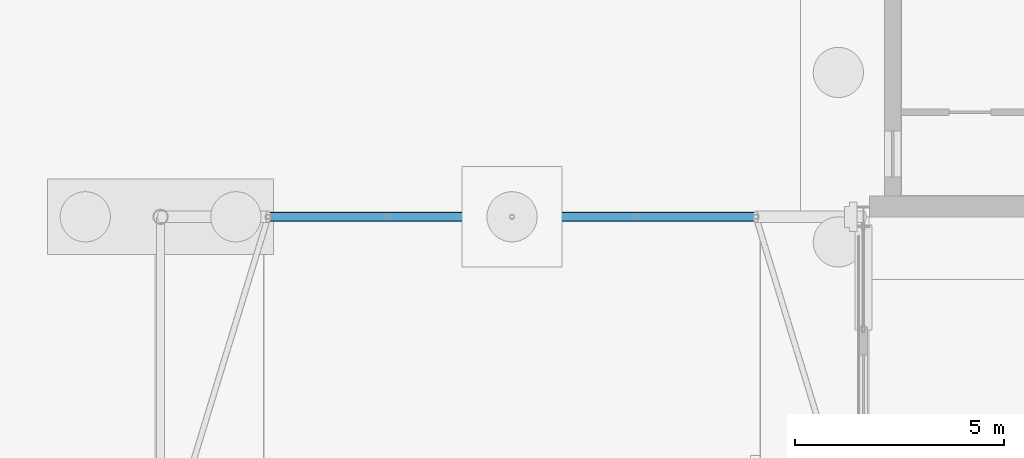
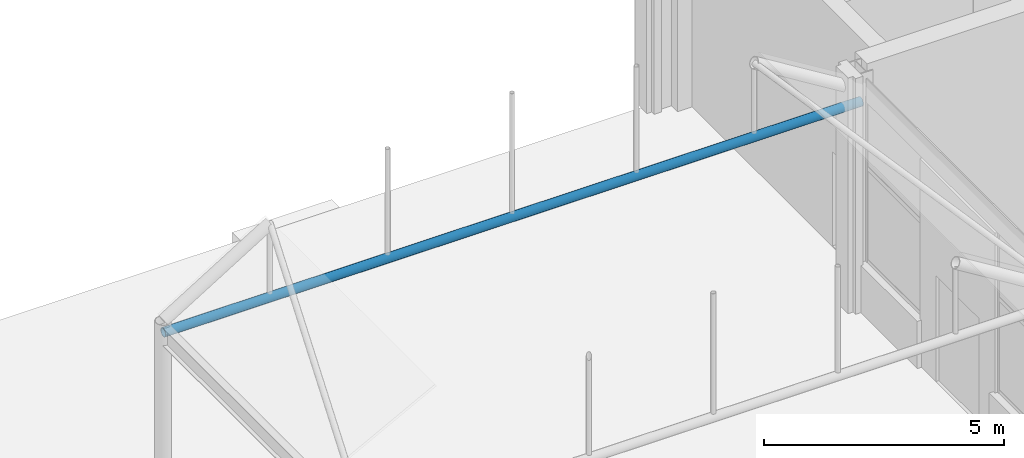
# One storey, part 161 of 212: 1 beam.
"""IFC4 building model written with IfcOpenShell, lengths in metres."""

import ifcopenshell
import ifcopenshell.guid

model = None  # the IFC model being written
_history = None  # IfcOwnerHistory: only IFC2X3 demands one
_inside = {}  # id of a spatial element -> (the spatial element, [elements in it])
_under = {}  # id of a project, library or spatial element -> (it, [spatial elements below it])
_declared = {}  # id of a project -> (the project, [libraries it declares])
_typed = {}  # id of a type object -> (the type object, [elements of that type])
_made_of = {}  # id of a material, layer set ... -> (it, [elements and type objects made of it])


def new_model(schema):
    """Start an empty IFC model of exactly this schema.

    Asked for "IFC4X3", IfcOpenShell would pick the latest addendum, in which some entities
    have other attributes; the version numbers below select the first issue.
    IFC2X3 requires an IfcOwnerHistory on every rooted entity: one is made here for all.
    """
    global model, _history
    if schema == "IFC4X3":
        model = ifcopenshell.file(schema_version=(4, 3, 0, 0))
    else:
        model = ifcopenshell.file(schema=schema)
    _inside.clear()
    _under.clear()
    _declared.clear()
    _typed.clear()
    _made_of.clear()
    _history = None
    if model.schema == "IFC2X3":
        org = make("IfcOrganization", Name="unknown")
        user = make(
            "IfcPersonAndOrganization",
            ThePerson=make("IfcPerson", FamilyName="unknown"),
            TheOrganization=org,
        )
        app = make(
            "IfcApplication",
            ApplicationDeveloper=org,
            Version="unknown",
            ApplicationFullName="unknown",
            ApplicationIdentifier="unknown",
        )
        _history = make(
            "IfcOwnerHistory",
            OwningUser=user,
            OwningApplication=app,
            ChangeAction="ADDED",
            CreationDate=0,
        )
    return model


def make(cls, **values):
    """One entity of the class cls with the attributes given. An attribute that is None is left unset."""
    return model.create_entity(
        cls, **{name: value for name, value in values.items() if value is not None}
    )


def rooted(cls, **values):
    """An entity with a GlobalId (a new one), such as an element, a storey or a relation."""
    return make(cls, GlobalId=ifcopenshell.guid.new(), OwnerHistory=_history, **values)


def si_unit(unit_type, name, prefix=None):
    """IfcSIUnit, for example si_unit("LENGTHUNIT", "METRE", prefix="MILLI")."""
    return make("IfcSIUnit", UnitType=unit_type, Prefix=prefix, Name=name)


def assignment(units):
    """IfcUnitAssignment: the units of a project."""
    return None if units is None else make("IfcUnitAssignment", Units=units)


def point(xyz):
    """IfcCartesianPoint."""
    return None if xyz is None else make("IfcCartesianPoint", Coordinates=xyz)


def direction(xyz):
    """IfcDirection."""
    return None if xyz is None else make("IfcDirection", DirectionRatios=xyz)


def frame(location, z_axis=None, x_axis=None):
    """IfcAxis2Placement3D, a coordinate frame: its origin and axes. An axis left out is left unset."""
    return make(
        "IfcAxis2Placement3D",
        Location=point(location),
        Axis=direction(z_axis),
        RefDirection=direction(x_axis),
    )


def frame_2d(location, x_axis=None):
    """IfcAxis2Placement2D, a coordinate frame in the plane: its origin and x axis."""
    return make(
        "IfcAxis2Placement2D", Location=point(location), RefDirection=direction(x_axis)
    )


def origin():
    """The frame at (0, 0, 0) with its axes left unset."""
    return frame((0.0, 0.0, 0.0))


def origin_2d():
    """The frame at (0, 0) in the plane with its x axis left unset."""
    return frame_2d((0.0, 0.0))


def place(relative_to, where):
    """IfcLocalPlacement: puts the frame where relative to a parent placement (None: the world)."""
    return make(
        "IfcLocalPlacement", PlacementRelTo=relative_to, RelativePlacement=where
    )


def context(
    kind, dimensions, precision=None, world=None, true_north=None, identifier=None
):
    """IfcGeometricRepresentationContext, for example the 3D "Model" context."""
    return make(
        "IfcGeometricRepresentationContext",
        ContextIdentifier=identifier,
        ContextType=kind,
        CoordinateSpaceDimension=dimensions,
        Precision=precision,
        WorldCoordinateSystem=world,
        TrueNorth=true_north,
    )


def subcontext(parent, identifier, kind, view, scale=None):
    """IfcGeometricRepresentationSubContext, for example "Body" below "Model"."""
    return make(
        "IfcGeometricRepresentationSubContext",
        ContextIdentifier=identifier,
        ContextType=kind,
        ParentContext=parent,
        TargetScale=scale,
        TargetView=view,
    )


def project(units=None, contexts=None):
    """IfcProject with its units and contexts."""
    return rooted(
        "IfcProject",
        Name="project",
        RepresentationContexts=contexts,
        UnitsInContext=assignment(units),
    )


def spatial(cls, under=None, at=None, **own):
    """A site, building, storey or space (cls), placed at a placement, below another one or the project."""
    s = rooted(cls, ObjectPlacement=at, **own)
    if under is not None:
        _under.setdefault(under.id(), (under, []))[1].append(s)
    return s


def profile(cls, at=None, kind="AREA", **sizes):
    """A parametric profile (cls). Its sizes go by their IFC names, for example OverallWidth=200.0."""
    return make(cls, ProfileType=kind, Position=at, **sizes)


def hollow_circle(**sizes):
    """IfcCircleHollowProfileDef."""
    return profile("IfcCircleHollowProfileDef", **sizes)


def extrude(swept, where, along, depth):
    """IfcExtrudedAreaSolid: the profile swept, set in the frame where, extruded along a direction by depth."""
    return make(
        "IfcExtrudedAreaSolid",
        SweptArea=swept,
        Position=where,
        ExtrudedDirection=direction(along),
        Depth=depth,
    )


def shape(context_of_items, identifier, shape_type, items):
    """IfcShapeRepresentation: the items that make up one representation, for example the "Body"."""
    return make(
        "IfcShapeRepresentation",
        ContextOfItems=context_of_items,
        RepresentationIdentifier=identifier,
        RepresentationType=shape_type,
        Items=items,
    )


def material(Name=None, Category=None):
    """IfcMaterial."""
    return make("IfcMaterial", Name=Name, Category=Category)


def material_profile(
    of_material, cross_section, Name=None, Category=None, Priority=None
):
    """IfcMaterialProfile: a cross section and its material."""
    return make(
        "IfcMaterialProfile",
        Name=Name,
        Material=of_material,
        Profile=cross_section,
        Priority=Priority,
        Category=Category,
    )


def profile_set(profiles, Name=None, composite=None):
    """IfcMaterialProfileSet."""
    return make(
        "IfcMaterialProfileSet",
        Name=Name,
        MaterialProfiles=profiles,
        CompositeProfile=composite,
    )


def made_of(thing, what):
    """Note that an element or type object is made of a material, layer set ...; save() writes the relation."""
    if what is not None:
        _made_of.setdefault(what.id(), (what, []))[1].append(thing)
    return thing


def type_object(cls, material=None, **own):
    """A type object (cls), such as IfcWallType, which elements share."""
    return made_of(rooted(cls, **own), material)


def element(
    cls,
    number,
    at=None,
    inside=None,
    cuts=None,
    type_object=None,
    material=None,
    context=None,
    identifier="Body",
    shape_type=None,
    held_by="IfcProductDefinitionShape",
    body=None,
    shapes=None,
    **own,
):
    """One element of the class cls, such as IfcWall. Its Tag is "e" and its number.

    at: its placement. inside: the storey or other place that contains it. cuts: it is an
    opening in that element (IfcRelVoidsElement). A single representation is given by context,
    identifier, shape_type and body (its items); several are given by shapes. held_by: the class
    of the entity that holds the representations. save() writes the other relations.
    """
    e = rooted(cls, Tag="e%d" % number, ObjectPlacement=at, **own)
    if body is not None:
        shapes = [shape(context, identifier, shape_type, body)]
    if shapes is not None:
        e.Representation = make(held_by, Representations=shapes)
    if inside is not None:
        _inside.setdefault(inside.id(), (inside, []))[1].append(e)
    if cuts is not None:
        rooted(
            "IfcRelVoidsElement", RelatingBuildingElement=cuts, RelatedOpeningElement=e
        )
    if type_object is not None:
        _typed.setdefault(type_object.id(), (type_object, []))[1].append(e)
    return made_of(e, material)


def aggregate(whole, parts):
    """IfcRelAggregates: a whole, such as a stair, and the parts it consists of."""
    return rooted("IfcRelAggregates", RelatingObject=whole, RelatedObjects=parts)


def save(model, path):
    """Write the relations noted so far, then the file.

    IfcRelAggregates (storeys below a building ...), IfcRelContainedInSpatialStructure (elements
    in a storey), IfcRelDefinesByType, IfcRelAssociatesMaterial and IfcRelDeclares: one each for
    every whole, place, type object, material and project.
    """
    for whole, parts in _under.values():
        aggregate(whole, parts)
    for where, things in _inside.values():
        rooted(
            "IfcRelContainedInSpatialStructure",
            RelatedElements=things,
            RelatingStructure=where,
        )
    for kind, things in _typed.values():
        rooted("IfcRelDefinesByType", RelatedObjects=things, RelatingType=kind)
    for what, things in _made_of.values():
        rooted("IfcRelAssociatesMaterial", RelatedObjects=things, RelatingMaterial=what)
    for by, libraries in _declared.values():
        rooted("IfcRelDeclares", RelatingContext=by, RelatedDefinitions=libraries)
    model.write(path)


model = new_model("IFC4")

# Units and contexts
model_context = context("Model", 3, precision=1e-05, world=origin(), true_north=direction((0.0, 1.0)))
body_context = subcontext(model_context, "Body", "Model", "MODEL_VIEW")
ifc_project = project(units=[si_unit("LENGTHUNIT", "METRE"), si_unit("AREAUNIT", "SQUARE_METRE"), si_unit("VOLUMEUNIT", "CUBIC_METRE"), si_unit("PLANEANGLEUNIT", "RADIAN"), si_unit("MASSUNIT", "GRAM", prefix="KILO")], contexts=[model_context])

# Site, building, storey
site_placement = place(None, origin())
site = spatial("IfcSite", under=ifc_project, at=site_placement, CompositionType="ELEMENT")
building_placement = place(site_placement, origin())
building = spatial("IfcBuilding", under=site, at=building_placement, Name="Catenary Quay Ferry Terminal", CompositionType="ELEMENT")
storey_placement = place(building_placement, origin())
storey = spatial("IfcBuildingStorey", under=building, at=storey_placement, Name="L00", CompositionType="ELEMENT", Elevation=0.0)

# Beam
ifc_material = material(Name="Steel S355", Category="steel")
ifc_material_profile = material_profile(ifc_material, hollow_circle(Radius=0.109619140625, WallThickness=0.010009765625, at=origin_2d()), Name="CHS 219.1x10")
ifc_profile_set = profile_set([ifc_material_profile], Name="Steel S355")
beam_type = type_object("IfcBeamType", Name="TB2 CHS 219.1x10", PredefinedType="BEAM", material=ifc_profile_set)
beam_placement = place(storey_placement, frame((8.39990234375, 201.60009765625, 5.10009765625), z_axis=(1.0, 0.0, 0.0), x_axis=(0.0, 1.0, 0.0)))
element("IfcBeam", 1, at=beam_placement, inside=storey, type_object=beam_type, Name="tie beam FC-17", PredefinedType="BEAM", context=body_context, shape_type="SweptSolid", body=[
    extrude(hollow_circle(Radius=0.109619140625, WallThickness=0.010009765625, at=origin_2d()), origin(), (0.0, 0.0, 1.0), 16.800048828125),
])

save(model, "model.ifc")
